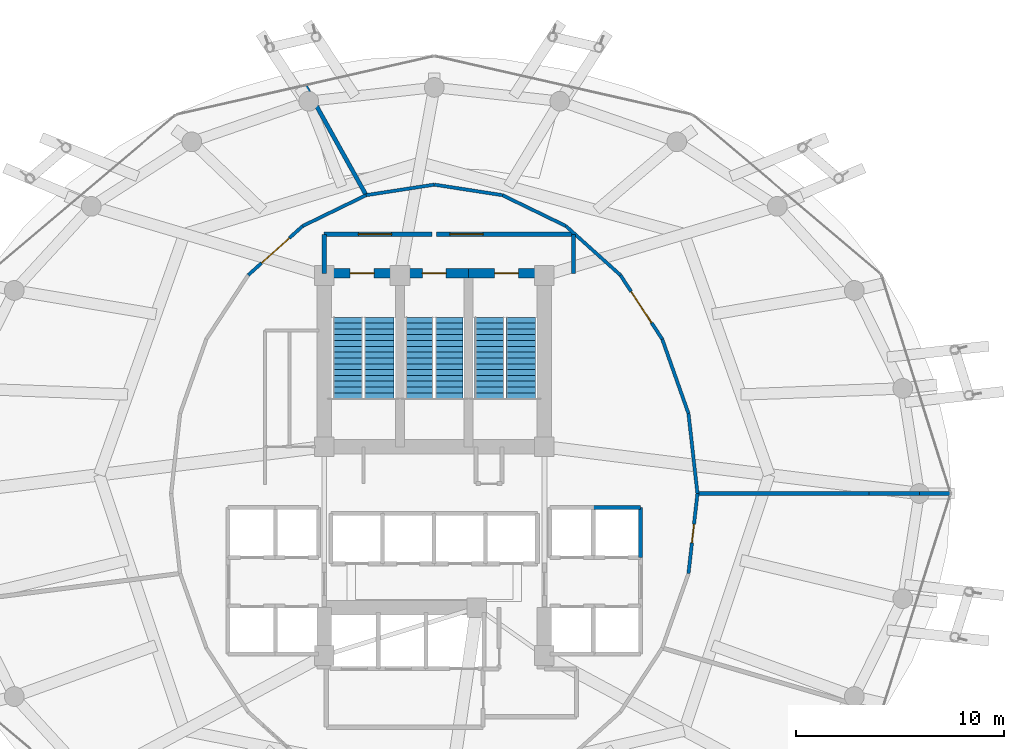
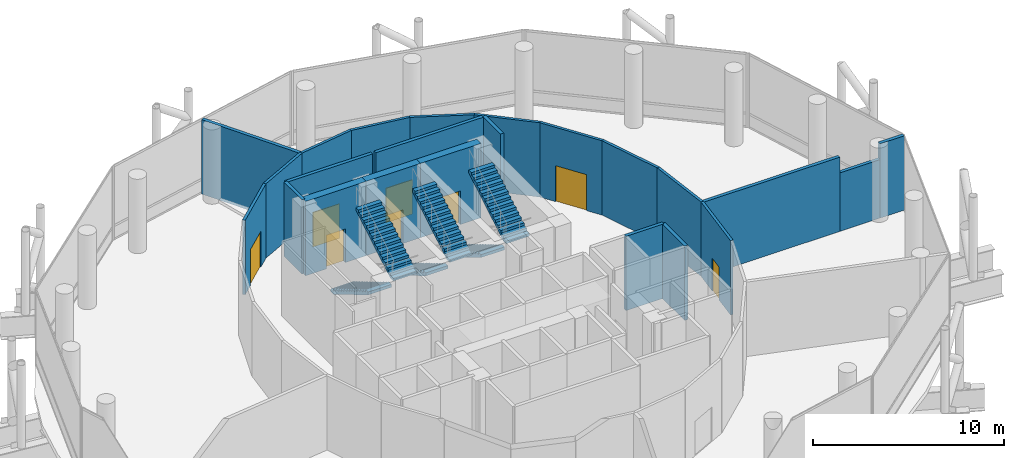
# One storey, part 24 of 29: 23 walls, 8 doors, 6 stair flights, 8 openings, 3 elements without a shape of their own.
"""IFC4 building model written with IfcOpenShell, lengths in metres."""

from ifc_helpers import new_model, si_unit, direction, frame, frame_2d, origin, place, context, subcontext, project, spatial, polyline, rectangle, outline, extrude, material, layer, layer_set, type_object, element, fill, aggregate, save


model = new_model("IFC4")

# Units and contexts
model_context = context("Model", 3, precision=1e-05, world=origin(), true_north=direction((0.0, 1.0)))
body_context = subcontext(model_context, "Body", "Model", "MODEL_VIEW")
ifc_project = project(units=[si_unit("LENGTHUNIT", "METRE"), si_unit("AREAUNIT", "SQUARE_METRE"), si_unit("VOLUMEUNIT", "CUBIC_METRE"), si_unit("PLANEANGLEUNIT", "RADIAN"), si_unit("MASSUNIT", "GRAM", prefix="KILO")], contexts=[model_context])

# Site, building, storey
site_placement = place(None, origin())
site = spatial("IfcSite", under=ifc_project, at=site_placement, CompositionType="ELEMENT")
building_placement = place(site_placement, origin())
building = spatial("IfcBuilding", under=site, at=building_placement, Name="Nuhasar Tower", CompositionType="ELEMENT")
storey_placement = place(building_placement, frame((0.0, 0.0, 113.25)))
storey = spatial("IfcBuildingStorey", under=building, at=storey_placement, Name="L26", CompositionType="ELEMENT", Elevation=113.25)

# Wall, opening, door
ifc_material_1 = material(Name="Concrete C50/60", Category="concrete")
ifc_layer_1 = layer(ifc_material_1, 0.449951171875)
ifc_layer_set_1 = layer_set([ifc_layer_1], Name="Concrete C50/60")
wall_type_1 = type_object("IfcWallType", Name="WL-CORE-450", PredefinedType="SHEAR", material=ifc_layer_set_1)
wall_1_placement = place(storey_placement, frame((37.35009765625, 37.39990234375, 0.0), z_axis=(0.0, 0.0, 1.0), x_axis=(-1.0, 0.0, 0.0)))
wall_1 = element("IfcWall", 1, at=wall_1_placement, inside=storey, type_object=wall_type_1, Name="L26 Stairwell Shear Wall ST01-N", PredefinedType="SHEAR", context=body_context, shape_type="SweptSolid", body=[
    extrude(rectangle(XDim=3.650146484375, YDim=0.449951171875, at=frame_2d((1.8251953125, 0.0))), origin(), (0.0, 0.0, 1.0), 4.75),
])
opening_1_placement = place(wall_1_placement, frame((1.25, 0.0, 0.0)))
opening_1 = element("IfcOpeningElement", 2, at=opening_1_placement, cuts=wall_1, Name="Opening DS-01", PredefinedType="OPENING", context=body_context, shape_type="SweptSolid", body=[
    extrude(rectangle(XDim=1.14990234375, YDim=2.14990234375, at=frame_2d((0.574951171875, 1.074951171875))), frame((0.0, 0.23486328125, 0.0), z_axis=(0.0, -1.0, 0.0), x_axis=(1.0, 0.0, 0.0)), (0.0, 0.0, 1.0), 0.469970703125),
])
ifc_material_2 = material(Name="Steel S355", Category="steel")
door_type_1 = type_object("IfcDoorType", Name="DR-STAIR-FD120-1150", OperationType="NOTDEFINED", PredefinedType="DOOR", material=ifc_material_2)
door_1_placement = place(opening_1_placement, origin())
door_1 = element("IfcDoor", 3, at=door_1_placement, inside=storey, type_object=door_type_1, Name="L26 Exit Stair ST-01 Door", OperationType="SINGLE_SWING_RIGHT", OverallHeight=2.14990234375, OverallWidth=1.14990234375, PredefinedType="DOOR", context=body_context, shape_type="SweptSolid", body=[
    extrude(rectangle(XDim=1.14990234375, YDim=2.14990234375, at=frame_2d((0.574951171875, 1.074951171875))), frame((0.0, 0.02490234375, 0.0), z_axis=(0.0, -1.0, 0.0), x_axis=(1.0, 0.0, 0.0)), (0.0, 0.0, 1.0), 0.050048828125),
])
fill(opening_1, door_1)

wall_2_placement = place(storey_placement, frame((40.64990234375, 37.39990234375, 0.0), z_axis=(0.0, 0.0, 1.0), x_axis=(-1.0, 0.0, 0.0)))
wall_2 = element("IfcWall", 4, at=wall_2_placement, inside=storey, type_object=wall_type_1, Name="L26 Stairwell Shear Wall ST03-N", PredefinedType="SHEAR", context=body_context, shape_type="SweptSolid", body=[
    extrude(rectangle(XDim=3.2998046875, YDim=0.449951171875, at=frame_2d((1.64990234375, 0.0))), origin(), (0.0, 0.0, 1.0), 4.75),
])
opening_2_placement = place(wall_2_placement, frame((1.074951171875, 0.0, 0.0)))
opening_2 = element("IfcOpeningElement", 5, at=opening_2_placement, cuts=wall_2, Name="Opening DS-01", PredefinedType="OPENING", context=body_context, shape_type="SweptSolid", body=[
    extrude(rectangle(XDim=1.14990234375, YDim=2.14990234375, at=frame_2d((0.574951171875, 1.074951171875))), frame((0.0, 0.23486328125, 0.0), z_axis=(0.0, -1.0, 0.0), x_axis=(1.0, 0.0, 0.0)), (0.0, 0.0, 1.0), 0.469970703125),
])
door_2_placement = place(opening_2_placement, origin())
door_2 = element("IfcDoor", 6, at=door_2_placement, inside=storey, type_object=door_type_1, Name="L26 Exit Stair ST-03 Door", OperationType="SINGLE_SWING_RIGHT", OverallHeight=2.14990234375, OverallWidth=1.14990234375, PredefinedType="DOOR", context=body_context, shape_type="SweptSolid", body=[
    extrude(rectangle(XDim=1.14990234375, YDim=2.14990234375, at=frame_2d((0.574951171875, 1.074951171875))), frame((0.0, 0.02490234375, 0.0), z_axis=(0.0, -1.0, 0.0), x_axis=(1.0, 0.0, 0.0)), (0.0, 0.0, 1.0), 0.050048828125),
])
fill(opening_2, door_2)

wall_3_placement = place(storey_placement, frame((44.300048828125, 37.39990234375, 0.0), z_axis=(0.0, 0.0, 1.0), x_axis=(-1.0, 0.0, 0.0)))
wall_3 = element("IfcWall", 7, at=wall_3_placement, inside=storey, type_object=wall_type_1, Name="L26 Stairwell Shear Wall ST02-N", PredefinedType="SHEAR", context=body_context, shape_type="SweptSolid", body=[
    extrude(rectangle(XDim=3.650146484375, YDim=0.449951171875, at=frame_2d((1.8251953125, 0.0))), origin(), (0.0, 0.0, 1.0), 4.75),
])
opening_3_placement = place(wall_3_placement, frame((1.25, 0.0, 0.0)))
opening_3 = element("IfcOpeningElement", 8, at=opening_3_placement, cuts=wall_3, Name="Opening DS-01", PredefinedType="OPENING", context=body_context, shape_type="SweptSolid", body=[
    extrude(rectangle(XDim=1.14990234375, YDim=2.14990234375, at=frame_2d((0.574951171875, 1.074951171875))), frame((0.0, 0.23486328125, 0.0), z_axis=(0.0, -1.0, 0.0), x_axis=(1.0, 0.0, 0.0)), (0.0, 0.0, 1.0), 0.469970703125),
])
door_3_placement = place(opening_3_placement, origin())
door_3 = element("IfcDoor", 9, at=door_3_placement, inside=storey, type_object=door_type_1, Name="L26 Exit Stair ST-02 Door", OperationType="SINGLE_SWING_LEFT", OverallHeight=2.14990234375, OverallWidth=1.14990234375, PredefinedType="DOOR", context=body_context, shape_type="SweptSolid", body=[
    extrude(rectangle(XDim=1.14990234375, YDim=2.14990234375, at=frame_2d((0.574951171875, 1.074951171875))), frame((0.0, 0.02490234375, 0.0), z_axis=(0.0, -1.0, 0.0), x_axis=(1.0, 0.0, 0.0)), (0.0, 0.0, 1.0), 0.050048828125),
])
fill(opening_3, door_3)

# Walls
ifc_material_3 = material(Name="Gypsum Board", Category="gypsum")
ifc_layer_2 = layer(ifc_material_3, 0.159912109375)
ifc_layer_set_2 = layer_set([ifc_layer_2], Name="Gypsum Board")
wall_type_2 = type_object("IfcWallType", Name="WL-CORR-160", PredefinedType="PARTITIONING", material=ifc_layer_set_2)
wall_4_placement = place(storey_placement, frame((51.669921875, 26.800048828125, 0.0), z_axis=(0.0, 0.0, 1.0), x_axis=(-0.111510761023, 0.993763226416, 0.0)))
element("IfcWall", 10, at=wall_4_placement, inside=storey, type_object=wall_type_2, Name="L26 Interior Partition CORR-00", PredefinedType="PARTITIONING", context=body_context, shape_type="SweptSolid", body=[
    extrude(rectangle(XDim=3.873046875, YDim=0.159912109375, at=frame_2d((1.9365234375, 0.0))), origin(), (0.0, 0.0, 1.0), 4.75),
])
wall_5_placement = place(storey_placement, frame((51.238037109375, 30.64892578125, 0.0), z_axis=(0.0, 0.0, 1.0), x_axis=(-0.332685787644, 0.943037733444, 0.0)))
element("IfcWall", 11, at=wall_5_placement, inside=storey, type_object=wall_type_2, Name="L26 Interior Partition CORR-02", PredefinedType="PARTITIONING", context=body_context, shape_type="SweptSolid", body=[
    extrude(rectangle(XDim=3.802734375, YDim=0.159912109375, at=frame_2d((1.9013671875, 0.0))), origin(), (0.0, 0.0, 1.0), 4.75),
])

# Wall, opening, door
wall_6_placement = place(storey_placement, frame((47.958984375, 37.31494140625, 0.0), z_axis=(0.0, 0.0, 1.0), x_axis=(0.547283325884, -0.836947406477, 0.0)))
wall_6 = element("IfcWall", 12, at=wall_6_placement, inside=storey, type_object=wall_type_2, Name="L26 Interior Partition CORR-04", PredefinedType="PARTITIONING", context=body_context, shape_type="SweptSolid", body=[
    extrude(rectangle(XDim=3.679931640625, YDim=0.159912109375, at=frame_2d((1.83984375, 0.0))), origin(), (0.0, 0.0, 1.0), 4.75),
])
opening_4_placement = place(wall_6_placement, frame((0.93994140625, 0.0, 0.0)))
opening_4 = element("IfcOpeningElement", 13, at=opening_4_placement, cuts=wall_6, Name="Opening DB-02", PredefinedType="OPENING", context=body_context, shape_type="SweptSolid", body=[
    extrude(rectangle(XDim=1.800048828125, YDim=2.300048828125, at=frame_2d((0.89990234375, 1.14990234375))), frame((0.0, 0.08984375, 0.0), z_axis=(0.0, -1.0, 0.0), x_axis=(1.0, 0.0, 0.0)), (0.0, 0.0, 1.0), 0.179931640625),
])
ifc_material_4 = material(Name="Aluminium 6063-T6", Category="aluminium")
door_type_2 = type_object("IfcDoorType", Name="DR-BALL-FD60-1800", OperationType="DOUBLE_DOOR_SINGLE_SWING", PredefinedType="DOOR", material=ifc_material_4)
door_4_placement = place(opening_4_placement, origin())
door_4 = element("IfcDoor", 14, at=door_4_placement, inside=storey, type_object=door_type_2, Name="L26 East Sky Lobby Door", OperationType="DOUBLE_DOOR_SINGLE_SWING", OverallHeight=2.300048828125, OverallWidth=1.800048828125, PredefinedType="DOOR", context=body_context, shape_type="SweptSolid", body=[
    extrude(rectangle(XDim=1.800048828125, YDim=2.300048828125, at=frame_2d((0.89990234375, 1.14990234375))), frame((0.0, 0.02490234375, 0.0), z_axis=(0.0, -1.0, 0.0), x_axis=(1.0, 0.0, 0.0)), (0.0, 0.0, 1.0), 0.050048828125),
])
fill(opening_4, door_4)

# Walls
wall_7_placement = place(storey_placement, frame((47.958984375, 37.31494140625, 0.0), z_axis=(0.0, 0.0, 1.0), x_axis=(-0.743094720901, 0.669186248939, 0.0)))
element("IfcWall", 15, at=wall_7_placement, inside=storey, type_object=wall_type_2, Name="L26 Interior Partition CORR-06", PredefinedType="PARTITIONING", context=body_context, shape_type="SweptSolid", body=[
    extrude(rectangle(XDim=3.53125, YDim=0.159912109375, at=frame_2d((1.765625, 0.0))), origin(), (0.0, 0.0, 1.0), 4.75),
])
wall_8_placement = place(storey_placement, frame((45.3349609375, 39.677978515625, 0.0), z_axis=(0.0, 0.0, 1.0), x_axis=(-0.899414545514, 0.437096642995, 0.0)))
element("IfcWall", 16, at=wall_8_placement, inside=storey, type_object=wall_type_2, Name="L26 Interior Partition CORR-08", PredefinedType="PARTITIONING", context=body_context, shape_type="SweptSolid", body=[
    extrude(rectangle(XDim=3.397705078125, YDim=0.159912109375, at=frame_2d((1.69873046875, 0.0))), origin(), (0.0, 0.0, 1.0), 4.75),
])
for number, where, z_axis, x_axis, name in (
    (17, (42.279052734375, 41.1630859375, 0.0), (0.0, 0.0, 1.0), (-0.988264270775, 0.15275382519, 0.0), "L26 Interior Partition CORR-10"),
    (18, (39.0, 41.669921875, 0.0), (0.0, 0.0, 1.0), (-0.988264270775, -0.15275382519, 0.0), "L26 Interior Partition CORR-12"),
):
    element("IfcWall", number, at=place(storey_placement, frame(where, z_axis=z_axis, x_axis=x_axis)), inside=storey, type_object=wall_type_2, Name=name, PredefinedType="PARTITIONING", context=body_context, shape_type="SweptSolid", body=[
        extrude(rectangle(XDim=3.31787109375, YDim=0.159912109375, at=frame_2d((1.658935546875, 0.0))), origin(), (0.0, 0.0, 1.0), 4.75),
    ])
wall_9_placement = place(storey_placement, frame((35.720947265625, 41.1630859375, 0.0), z_axis=(0.0, 0.0, 1.0), x_axis=(-0.899414545514, -0.437096642995, 0.0)))
element("IfcWall", 19, at=wall_9_placement, inside=storey, type_object=wall_type_2, Name="L26 Interior Partition CORR-14", PredefinedType="PARTITIONING", context=body_context, shape_type="SweptSolid", body=[
    extrude(rectangle(XDim=3.397705078125, YDim=0.159912109375, at=frame_2d((1.69873046875, 0.0))), origin(), (0.0, 0.0, 1.0), 4.75),
])

# Wall, opening, door
wall_10_placement = place(storey_placement, frame((30.041015625, 37.31494140625, 0.0), z_axis=(0.0, 0.0, 1.0), x_axis=(0.743094720901, 0.669186248939, 0.0)))
wall_10 = element("IfcWall", 20, at=wall_10_placement, inside=storey, type_object=wall_type_2, Name="L26 Interior Partition CORR-16", PredefinedType="PARTITIONING", context=body_context, shape_type="SweptSolid", body=[
    extrude(rectangle(XDim=3.53125, YDim=0.159912109375, at=frame_2d((1.765625, 0.0))), origin(), (0.0, 0.0, 1.0), 4.75),
])
opening_5_placement = place(wall_10_placement, frame((0.865966796875, 0.0, 0.0)))
opening_5 = element("IfcOpeningElement", 21, at=opening_5_placement, cuts=wall_10, Name="Opening DB-02", PredefinedType="OPENING", context=body_context, shape_type="SweptSolid", body=[
    extrude(rectangle(XDim=1.800048828125, YDim=2.300048828125, at=frame_2d((0.89990234375, 1.14990234375))), frame((0.0, 0.08984375, 0.0), z_axis=(0.0, -1.0, 0.0), x_axis=(1.0, 0.0, 0.0)), (0.0, 0.0, 1.0), 0.179931640625),
])
door_5_placement = place(opening_5_placement, origin())
door_5 = element("IfcDoor", 22, at=door_5_placement, inside=storey, type_object=door_type_2, Name="L26 North Panorama Brasserie Door", OperationType="DOUBLE_DOOR_SINGLE_SWING", OverallHeight=2.300048828125, OverallWidth=1.800048828125, PredefinedType="DOOR", context=body_context, shape_type="SweptSolid", body=[
    extrude(rectangle(XDim=1.800048828125, YDim=2.300048828125, at=frame_2d((0.89990234375, 1.14990234375))), frame((0.0, 0.02490234375, 0.0), z_axis=(0.0, -1.0, 0.0), x_axis=(1.0, 0.0, 0.0)), (0.0, 0.0, 1.0), 0.050048828125),
])
fill(opening_5, door_5)

wall_11_placement = place(storey_placement, frame((51.669921875, 26.800048828125, 0.0), z_axis=(0.0, 0.0, 1.0), x_axis=(-0.1115037761, -0.993764010173, 0.0)))
wall_11 = element("IfcWall", 23, at=wall_11_placement, inside=storey, type_object=wall_type_2, Name="L26 Interior Partition CORR-46", PredefinedType="PARTITIONING", context=body_context, shape_type="SweptSolid", body=[
    extrude(rectangle(XDim=3.873291015625, YDim=0.159912109375, at=frame_2d((1.9365234375, 0.0))), origin(), (0.0, 0.0, 1.0), 4.75),
])
opening_6_placement = place(wall_11_placement, frame((1.487060546875, 0.0, 0.0)))
opening_6 = element("IfcOpeningElement", 24, at=opening_6_placement, cuts=wall_11, Name="Opening DR-01", PredefinedType="OPENING", context=body_context, shape_type="SweptSolid", body=[
    extrude(rectangle(XDim=0.89990234375, YDim=2.10009765625, at=frame_2d((0.449951171875, 1.050048828125))), frame((0.0, 0.08984375, 0.0), z_axis=(0.0, -1.0, 0.0), x_axis=(1.0, 0.0, 0.0)), (0.0, 0.0, 1.0), 0.179931640625),
])
ifc_material_5 = material(Name="Timber Oak", Category="wood")
door_type_3 = type_object("IfcDoorType", Name="DR-ROOM-900", OperationType="NOTDEFINED", PredefinedType="DOOR", material=ifc_material_5)
door_6_placement = place(opening_6_placement, origin())
door_6 = element("IfcDoor", 25, at=door_6_placement, inside=storey, type_object=door_type_3, Name="L26 Sky Coat Store Door", OperationType="SINGLE_SWING_RIGHT", OverallHeight=2.10009765625, OverallWidth=0.89990234375, PredefinedType="DOOR", context=body_context, shape_type="SweptSolid", body=[
    extrude(rectangle(XDim=0.89990234375, YDim=2.10009765625, at=frame_2d((0.449951171875, 1.050048828125))), frame((0.0, 0.02490234375, 0.0), z_axis=(0.0, -1.0, 0.0), x_axis=(1.0, 0.0, 0.0)), (0.0, 0.0, 1.0), 0.050048828125),
])
fill(opening_6, door_6)

# Walls
ifc_material_6 = material(Name="Concrete C45/55", Category="concrete")
ifc_layer_3 = layer(ifc_material_6, 0.199951171875)
ifc_layer_set_3 = layer_set([ifc_layer_3], Name="Concrete C45/55")
wall_type_3 = type_object("IfcWallType", Name="WL-LOBBY-200", PredefinedType="SOLIDWALL", material=ifc_layer_set_3)
for number, where, z_axis, x_axis, name in (
    (26, (33.699951171875, 37.39990234375, 0.0), (0.0, 0.0, 1.0), (0.0, 1.0, 0.0), "L26 Interior Partition NSL-W"),
    (27, (45.699951171875, 37.39990234375, 0.0), (0.0, 0.0, 1.0), (0.0, 1.0, 0.0), "L26 Interior Partition NSL-E"),
):
    element("IfcWall", number, at=place(storey_placement, frame(where, z_axis=z_axis, x_axis=x_axis)), inside=storey, type_object=wall_type_3, Name=name, PredefinedType="SOLIDWALL", context=body_context, shape_type="SweptSolid", body=[
        extrude(rectangle(XDim=1.880126953125, YDim=0.199951171875, at=frame_2d((0.93994140625, 0.0))), origin(), (0.0, 0.0, 1.0), 4.75),
    ])

# Wall, opening, door
wall_12_placement = place(storey_placement, frame((38.89990234375, 39.280029296875, 0.0), z_axis=(0.0, 0.0, 1.0), x_axis=(-1.0, 0.0, 0.0)))
wall_12 = element("IfcWall", 28, at=wall_12_placement, inside=storey, type_object=wall_type_3, Name="L26 Interior Partition NSL-N1", PredefinedType="SOLIDWALL", context=body_context, shape_type="SweptSolid", body=[
    extrude(rectangle(XDim=5.199951171875, YDim=0.199951171875, at=frame_2d((2.60009765625, 0.0))), origin(), (0.0, 0.0, 1.0), 4.75),
])
opening_7_placement = place(wall_12_placement, frame((1.949951171875, 0.0, 0.0)))
opening_7 = element("IfcOpeningElement", 29, at=opening_7_placement, cuts=wall_12, Name="Opening DC-01", PredefinedType="OPENING", context=body_context, shape_type="SweptSolid", body=[
    extrude(rectangle(XDim=1.60009765625, YDim=2.199951171875, at=frame_2d((0.800048828125, 1.10009765625))), frame((0.0, 0.10986328125, 0.0), z_axis=(0.0, -1.0, 0.0), x_axis=(1.0, 0.0, 0.0)), (0.0, 0.0, 1.0), 0.219970703125),
])
door_type_4 = type_object("IfcDoorType", Name="DR-CORR-FD60-1600", OperationType="DOUBLE_DOOR_SINGLE_SWING", PredefinedType="DOOR", material=ifc_material_2)
door_7_placement = place(opening_7_placement, origin())
door_7 = element("IfcDoor", 30, at=door_7_placement, inside=storey, type_object=door_type_4, Name="L26 North Stair Lobby West Door", OperationType="DOUBLE_DOOR_SINGLE_SWING", OverallHeight=2.199951171875, OverallWidth=1.60009765625, PredefinedType="DOOR", context=body_context, shape_type="SweptSolid", body=[
    extrude(rectangle(XDim=1.60009765625, YDim=2.199951171875, at=frame_2d((0.800048828125, 1.10009765625))), frame((0.0, 0.02490234375, 0.0), z_axis=(0.0, -1.0, 0.0), x_axis=(1.0, 0.0, 0.0)), (0.0, 0.0, 1.0), 0.050048828125),
])
fill(opening_7, door_7)

wall_13_placement = place(storey_placement, frame((45.699951171875, 39.280029296875, 0.0), z_axis=(0.0, 0.0, 1.0), x_axis=(-1.0, 0.0, 0.0)))
wall_13 = element("IfcWall", 31, at=wall_13_placement, inside=storey, type_object=wall_type_3, Name="L26 Interior Partition NSL-N2", PredefinedType="SOLIDWALL", context=body_context, shape_type="SweptSolid", body=[
    extrude(rectangle(XDim=6.599853515625, YDim=0.199951171875, at=frame_2d((3.2998046875, 0.0))), origin(), (0.0, 0.0, 1.0), 4.75),
])
opening_8_placement = place(wall_13_placement, frame((4.35009765625, 0.0, 0.0)))
opening_8 = element("IfcOpeningElement", 32, at=opening_8_placement, cuts=wall_13, Name="Opening DC-01", PredefinedType="OPENING", context=body_context, shape_type="SweptSolid", body=[
    extrude(rectangle(XDim=1.60009765625, YDim=2.199951171875, at=frame_2d((0.800048828125, 1.10009765625))), frame((0.0, 0.10986328125, 0.0), z_axis=(0.0, -1.0, 0.0), x_axis=(1.0, 0.0, 0.0)), (0.0, 0.0, 1.0), 0.219970703125),
])
door_8_placement = place(opening_8_placement, origin())
door_8 = element("IfcDoor", 33, at=door_8_placement, inside=storey, type_object=door_type_4, Name="L26 North Stair Lobby East Door", OperationType="DOUBLE_DOOR_SINGLE_SWING", OverallHeight=2.199951171875, OverallWidth=1.60009765625, PredefinedType="DOOR", context=body_context, shape_type="SweptSolid", body=[
    extrude(rectangle(XDim=1.60009765625, YDim=2.199951171875, at=frame_2d((0.800048828125, 1.10009765625))), frame((0.0, 0.02490234375, 0.0), z_axis=(0.0, -1.0, 0.0), x_axis=(1.0, 0.0, 0.0)), (0.0, 0.0, 1.0), 0.050048828125),
])
fill(opening_8, door_8)

# Walls
ifc_layer_4 = layer(ifc_material_6, 0.199951171875)
ifc_layer_set_4 = layer_set([ifc_layer_4], Name="Concrete C45/55")
wall_type_4 = type_object("IfcWallType", Name="WL-SHAFT-200", PredefinedType="SOLIDWALL", material=ifc_layer_set_4)
wall_14_placement = place(storey_placement, frame((46.6201171875, 26.1298828125, 0.0), z_axis=(0.0, 0.0, 1.0), x_axis=(1.0, 0.0, 0.0)))
element("IfcWall", 34, at=wall_14_placement, inside=storey, type_object=wall_type_4, Name="L26 Interior Partition SHF-PL-M02-N", PredefinedType="SOLIDWALL", context=body_context, shape_type="SweptSolid", body=[
    extrude(rectangle(XDim=2.309814453125, YDim=0.199951171875, at=frame_2d((1.15478515625, 0.0))), origin(), (0.0, 0.0, 1.0), 4.75),
])
wall_15_placement = place(storey_placement, frame((48.929931640625, 23.719970703125, 0.0), z_axis=(0.0, 0.0, 1.0), x_axis=(0.0, 1.0, 0.0)))
element("IfcWall", 35, at=wall_15_placement, inside=storey, type_object=wall_type_4, Name="L26 Interior Partition SHF-PL-M02-E", PredefinedType="SOLIDWALL", context=body_context, shape_type="SweptSolid", body=[
    extrude(rectangle(XDim=2.409912109375, YDim=0.199951171875, at=frame_2d((1.205078125, 0.0))), origin(), (0.0, 0.0, 1.0), 4.75),
])
ifc_material_7 = material(Name="Concrete C40/50 precast", Category="concrete")
ifc_layer_5 = layer(ifc_material_7, 0.199951171875)
ifc_layer_set_5 = layer_set([ifc_layer_5], Name="Concrete C40/50 precast")
wall_type_5 = type_object("IfcWallType", Name="WL-UNIT-200", PredefinedType="PARTITIONING", material=ifc_layer_set_5)
wall_16_placement = place(storey_placement, frame((51.669921875, 26.800048828125, 0.0), z_axis=(0.0, 0.0, 1.0), x_axis=(1.0, 0.0, 0.0)))
element("IfcWall", 36, at=wall_16_placement, inside=storey, type_object=wall_type_5, Name="L26 Interior Partition SRAD-00", PredefinedType="PARTITIONING", context=body_context, shape_type="SweptSolid", body=[
    extrude(rectangle(XDim=8.257080078125, YDim=0.199951171875, at=frame_2d((4.12841796875, 0.0))), origin(), (0.0, 0.0, 1.0), 4.75),
])
wall_17_placement = place(storey_placement, frame((59.927001953125, 26.800048828125, 0.0), z_axis=(0.0, 0.0, 1.0), x_axis=(1.0, 0.0, 0.0)))
element("IfcWall", 37, at=wall_17_placement, inside=storey, type_object=wall_type_5, Name="L26 Interior Partition SRAD-00", PredefinedType="PARTITIONING", context=body_context, shape_type="SweptSolid", body=[
    extrude(rectangle(XDim=2.43505859375, YDim=0.199951171875, at=frame_2d((1.217529296875, 0.0))), origin(), (0.0, 0.0, 1.0), 3.739990234375),
])
wall_18_placement = place(storey_placement, frame((62.362060546875, 26.800048828125, 0.0), z_axis=(0.0, 0.0, 1.0), x_axis=(1.0, 0.0, 0.0)))
element("IfcWall", 38, at=wall_18_placement, inside=storey, type_object=wall_type_5, Name="L26 Interior Partition SRAD-00", PredefinedType="PARTITIONING", context=body_context, shape_type="SweptSolid", body=[
    extrude(rectangle(XDim=1.462890625, YDim=0.199951171875, at=frame_2d((0.7314453125, 0.0))), origin(), (0.0, 0.0, 1.0), 4.75),
])
wall_19_placement = place(storey_placement, frame((35.720947265625, 41.1630859375, 0.0), z_axis=(0.0, 0.0, 1.0), x_axis=(-0.486749073776, 0.873541835963, 0.0)))
element("IfcWall", 39, at=wall_19_placement, inside=storey, type_object=wall_type_5, Name="L26 Interior Partition SRAD-14", PredefinedType="PARTITIONING", context=body_context, shape_type="SweptSolid", body=[
    extrude(rectangle(XDim=6.013427734375, YDim=0.199951171875, at=frame_2d((3.0068359375, 0.0))), origin(), (0.0, 0.0, 1.0), 4.75),
])

# Stair, stair flights
stair_type_1 = type_object("IfcStairType", Name="STR-ST-01-2F-30R-1667", PredefinedType="HALF_TURN_STAIR", material=ifc_material_6)
stair_1_placement = place(storey_placement, origin())
stair_1 = element("IfcStair", 40, at=stair_1_placement, inside=storey, type_object=stair_type_1, Name="L26 Exit Stair ST-01", PredefinedType="HALF_TURN_STAIR")
stair_flight_type_1 = type_object("IfcStairFlightType", Name="SFL-ST-01-15R-1667", PredefinedType="STRAIGHT", material=ifc_material_6)
stair_flight_1_placement = place(storey_placement, frame((34.830078125, 35.284912109375, 0.0), z_axis=(0.0, 0.0, 1.0), x_axis=(0.0, -1.0, 0.0)))
stair_flight_1 = element("IfcStairFlight", 41, at=stair_flight_1_placement, type_object=stair_flight_type_1, Name="ST-01 flight 1", NumberOfRisers=15, NumberOfTreads=14, PredefinedType="STRAIGHT", RiserHeight=0.166667, TreadLength=0.28, context=body_context, shape_type="SweptSolid", body=[
    extrude(outline(polyline([(0.0, 0.0), (0.0, 0.166748046875), (0.280029296875, 0.166748046875), (0.280029296875, 0.333251953125), (0.56005859375, 0.333251953125), (0.56005859375, 0.5), (0.840087890625, 0.5), (0.840087890625, 0.666748046875), (1.1201171875, 0.666748046875), (1.1201171875, 0.833251953125), (1.39990234375, 0.833251953125), (1.39990234375, 1.0), (1.679931640625, 1.0), (1.679931640625, 1.166748046875), (1.9599609375, 1.166748046875), (1.9599609375, 1.333251953125), (2.239990234375, 1.333251953125), (2.239990234375, 1.5), (2.52001953125, 1.5), (2.52001953125, 1.666748046875), (2.800048828125, 1.666748046875), (2.800048828125, 1.833251953125), (3.080078125, 1.833251953125), (3.080078125, 2.0), (3.360107421875, 2.0), (3.360107421875, 2.166748046875), (3.639892578125, 2.166748046875), (3.639892578125, 2.333251953125), (3.919921875, 2.333251953125), (3.919921875, 2.5), (3.919921875, 2.147216796875), (0.312744140625, 0.0), (0.0, 0.0)])), frame((0.0, 0.7099609375, 0.0), z_axis=(0.0, -1.0, 0.0), x_axis=(1.0, 0.0, 0.0)), (0.0, 0.0, 1.0), 1.419921875),
])
stair_flight_2_placement = place(storey_placement, frame((36.35009765625, 31.364990234375, 2.5), z_axis=(0.0, 0.0, 1.0), x_axis=(0.0, 1.0, 0.0)))
stair_flight_2 = element("IfcStairFlight", 42, at=stair_flight_2_placement, type_object=stair_flight_type_1, Name="ST-01 flight 2", NumberOfRisers=15, NumberOfTreads=14, PredefinedType="STRAIGHT", RiserHeight=0.166667, TreadLength=0.28, context=body_context, shape_type="SweptSolid", body=[
    extrude(outline(polyline([(0.0, 0.0), (0.0, 0.166748046875), (0.280029296875, 0.166748046875), (0.280029296875, 0.333251953125), (0.56005859375, 0.333251953125), (0.56005859375, 0.5), (0.840087890625, 0.5), (0.840087890625, 0.666748046875), (1.1201171875, 0.666748046875), (1.1201171875, 0.833251953125), (1.39990234375, 0.833251953125), (1.39990234375, 1.0), (1.679931640625, 1.0), (1.679931640625, 1.166748046875), (1.9599609375, 1.166748046875), (1.9599609375, 1.333251953125), (2.239990234375, 1.333251953125), (2.239990234375, 1.5), (2.52001953125, 1.5), (2.52001953125, 1.666748046875), (2.800048828125, 1.666748046875), (2.800048828125, 1.833251953125), (3.080078125, 1.833251953125), (3.080078125, 2.0), (3.360107421875, 2.0), (3.360107421875, 2.166748046875), (3.639892578125, 2.166748046875), (3.639892578125, 2.333251953125), (3.919921875, 2.333251953125), (3.919921875, 2.5), (3.919921875, 2.147216796875), (0.312744140625, 0.0), (0.0, 0.0)])), frame((0.0, 0.7099609375, 0.0), z_axis=(0.0, -1.0, 0.0), x_axis=(1.0, 0.0, 0.0)), (0.0, 0.0, 1.0), 1.419921875),
])
aggregate(stair_1, [stair_flight_1, stair_flight_2])

stair_type_2 = type_object("IfcStairType", Name="STR-ST-02-2F-30R-1667", PredefinedType="HALF_TURN_STAIR", material=ifc_material_6)
stair_2_placement = place(storey_placement, origin())
stair_2 = element("IfcStair", 43, at=stair_2_placement, inside=storey, type_object=stair_type_2, Name="L26 Exit Stair ST-02", PredefinedType="HALF_TURN_STAIR")
stair_flight_type_2 = type_object("IfcStairFlightType", Name="SFL-ST-02-15R-1667", PredefinedType="STRAIGHT", material=ifc_material_6)
stair_flight_3_placement = place(storey_placement, frame((41.64990234375, 35.284912109375, 0.0), z_axis=(0.0, 0.0, 1.0), x_axis=(0.0, -1.0, 0.0)))
stair_flight_3 = element("IfcStairFlight", 44, at=stair_flight_3_placement, type_object=stair_flight_type_2, Name="ST-02 flight 1", NumberOfRisers=15, NumberOfTreads=14, PredefinedType="STRAIGHT", RiserHeight=0.166667, TreadLength=0.28, context=body_context, shape_type="SweptSolid", body=[
    extrude(outline(polyline([(0.0, 0.0), (0.0, 0.166748046875), (0.280029296875, 0.166748046875), (0.280029296875, 0.333251953125), (0.56005859375, 0.333251953125), (0.56005859375, 0.5), (0.840087890625, 0.5), (0.840087890625, 0.666748046875), (1.1201171875, 0.666748046875), (1.1201171875, 0.833251953125), (1.39990234375, 0.833251953125), (1.39990234375, 1.0), (1.679931640625, 1.0), (1.679931640625, 1.166748046875), (1.9599609375, 1.166748046875), (1.9599609375, 1.333251953125), (2.239990234375, 1.333251953125), (2.239990234375, 1.5), (2.52001953125, 1.5), (2.52001953125, 1.666748046875), (2.800048828125, 1.666748046875), (2.800048828125, 1.833251953125), (3.080078125, 1.833251953125), (3.080078125, 2.0), (3.360107421875, 2.0), (3.360107421875, 2.166748046875), (3.639892578125, 2.166748046875), (3.639892578125, 2.333251953125), (3.919921875, 2.333251953125), (3.919921875, 2.5), (3.919921875, 2.147216796875), (0.312744140625, 0.0), (0.0, 0.0)])), frame((0.0, 0.7099609375, 0.0), z_axis=(0.0, -1.0, 0.0), x_axis=(1.0, 0.0, 0.0)), (0.0, 0.0, 1.0), 1.419921875),
])
stair_flight_4_placement = place(storey_placement, frame((43.169921875, 31.364990234375, 2.5), z_axis=(0.0, 0.0, 1.0), x_axis=(0.0, 1.0, 0.0)))
stair_flight_4 = element("IfcStairFlight", 45, at=stair_flight_4_placement, type_object=stair_flight_type_2, Name="ST-02 flight 2", NumberOfRisers=15, NumberOfTreads=14, PredefinedType="STRAIGHT", RiserHeight=0.166667, TreadLength=0.28, context=body_context, shape_type="SweptSolid", body=[
    extrude(outline(polyline([(0.0, 0.0), (0.0, 0.166748046875), (0.280029296875, 0.166748046875), (0.280029296875, 0.333251953125), (0.56005859375, 0.333251953125), (0.56005859375, 0.5), (0.840087890625, 0.5), (0.840087890625, 0.666748046875), (1.1201171875, 0.666748046875), (1.1201171875, 0.833251953125), (1.39990234375, 0.833251953125), (1.39990234375, 1.0), (1.679931640625, 1.0), (1.679931640625, 1.166748046875), (1.9599609375, 1.166748046875), (1.9599609375, 1.333251953125), (2.239990234375, 1.333251953125), (2.239990234375, 1.5), (2.52001953125, 1.5), (2.52001953125, 1.666748046875), (2.800048828125, 1.666748046875), (2.800048828125, 1.833251953125), (3.080078125, 1.833251953125), (3.080078125, 2.0), (3.360107421875, 2.0), (3.360107421875, 2.166748046875), (3.639892578125, 2.166748046875), (3.639892578125, 2.333251953125), (3.919921875, 2.333251953125), (3.919921875, 2.5), (3.919921875, 2.147216796875), (0.312744140625, 0.0), (0.0, 0.0)])), frame((0.0, 0.7099609375, 0.0), z_axis=(0.0, -1.0, 0.0), x_axis=(1.0, 0.0, 0.0)), (0.0, 0.0, 1.0), 1.419921875),
])
aggregate(stair_2, [stair_flight_3, stair_flight_4])

stair_type_3 = type_object("IfcStairType", Name="STR-ST-03-2F-30R-1667", PredefinedType="HALF_TURN_STAIR", material=ifc_material_6)
stair_3_placement = place(storey_placement, origin())
stair_3 = element("IfcStair", 46, at=stair_3_placement, inside=storey, type_object=stair_type_3, Name="L26 Exit Stair ST-03", PredefinedType="HALF_TURN_STAIR")
stair_flight_type_3 = type_object("IfcStairFlightType", Name="SFL-ST-03-15R-1667", PredefinedType="STRAIGHT", material=ifc_material_6)
stair_flight_5_placement = place(storey_placement, frame((38.280029296875, 35.284912109375, 0.0), z_axis=(0.0, 0.0, 1.0), x_axis=(0.0, -1.0, 0.0)))
stair_flight_5 = element("IfcStairFlight", 47, at=stair_flight_5_placement, type_object=stair_flight_type_3, Name="ST-03 flight 1", NumberOfRisers=15, NumberOfTreads=14, PredefinedType="STRAIGHT", RiserHeight=0.166667, TreadLength=0.28, context=body_context, shape_type="SweptSolid", body=[
    extrude(outline(polyline([(0.0, 0.0), (0.0, 0.166748046875), (0.280029296875, 0.166748046875), (0.280029296875, 0.333251953125), (0.56005859375, 0.333251953125), (0.56005859375, 0.5), (0.840087890625, 0.5), (0.840087890625, 0.666748046875), (1.1201171875, 0.666748046875), (1.1201171875, 0.833251953125), (1.39990234375, 0.833251953125), (1.39990234375, 1.0), (1.679931640625, 1.0), (1.679931640625, 1.166748046875), (1.9599609375, 1.166748046875), (1.9599609375, 1.333251953125), (2.239990234375, 1.333251953125), (2.239990234375, 1.5), (2.52001953125, 1.5), (2.52001953125, 1.666748046875), (2.800048828125, 1.666748046875), (2.800048828125, 1.833251953125), (3.080078125, 1.833251953125), (3.080078125, 2.0), (3.360107421875, 2.0), (3.360107421875, 2.166748046875), (3.639892578125, 2.166748046875), (3.639892578125, 2.333251953125), (3.919921875, 2.333251953125), (3.919921875, 2.5), (3.919921875, 2.147216796875), (0.312744140625, 0.0), (0.0, 0.0)])), frame((0.0, 0.669921875, 0.0), z_axis=(0.0, -1.0, 0.0), x_axis=(1.0, 0.0, 0.0)), (0.0, 0.0, 1.0), 1.340087890625),
])
stair_flight_6_placement = place(storey_placement, frame((39.719970703125, 31.364990234375, 2.5), z_axis=(0.0, 0.0, 1.0), x_axis=(0.0, 1.0, 0.0)))
stair_flight_6 = element("IfcStairFlight", 48, at=stair_flight_6_placement, type_object=stair_flight_type_3, Name="ST-03 flight 2", NumberOfRisers=15, NumberOfTreads=14, PredefinedType="STRAIGHT", RiserHeight=0.166667, TreadLength=0.28, context=body_context, shape_type="SweptSolid", body=[
    extrude(outline(polyline([(0.0, 0.0), (0.0, 0.166748046875), (0.280029296875, 0.166748046875), (0.280029296875, 0.333251953125), (0.56005859375, 0.333251953125), (0.56005859375, 0.5), (0.840087890625, 0.5), (0.840087890625, 0.666748046875), (1.1201171875, 0.666748046875), (1.1201171875, 0.833251953125), (1.39990234375, 0.833251953125), (1.39990234375, 1.0), (1.679931640625, 1.0), (1.679931640625, 1.166748046875), (1.9599609375, 1.166748046875), (1.9599609375, 1.333251953125), (2.239990234375, 1.333251953125), (2.239990234375, 1.5), (2.52001953125, 1.5), (2.52001953125, 1.666748046875), (2.800048828125, 1.666748046875), (2.800048828125, 1.833251953125), (3.080078125, 1.833251953125), (3.080078125, 2.0), (3.360107421875, 2.0), (3.360107421875, 2.166748046875), (3.639892578125, 2.166748046875), (3.639892578125, 2.333251953125), (3.919921875, 2.333251953125), (3.919921875, 2.5), (3.919921875, 2.147216796875), (0.312744140625, 0.0), (0.0, 0.0)])), frame((0.0, 0.669921875, 0.0), z_axis=(0.0, -1.0, 0.0), x_axis=(1.0, 0.0, 0.0)), (0.0, 0.0, 1.0), 1.340087890625),
])
aggregate(stair_3, [stair_flight_5, stair_flight_6])

save(model, "model.ifc")
